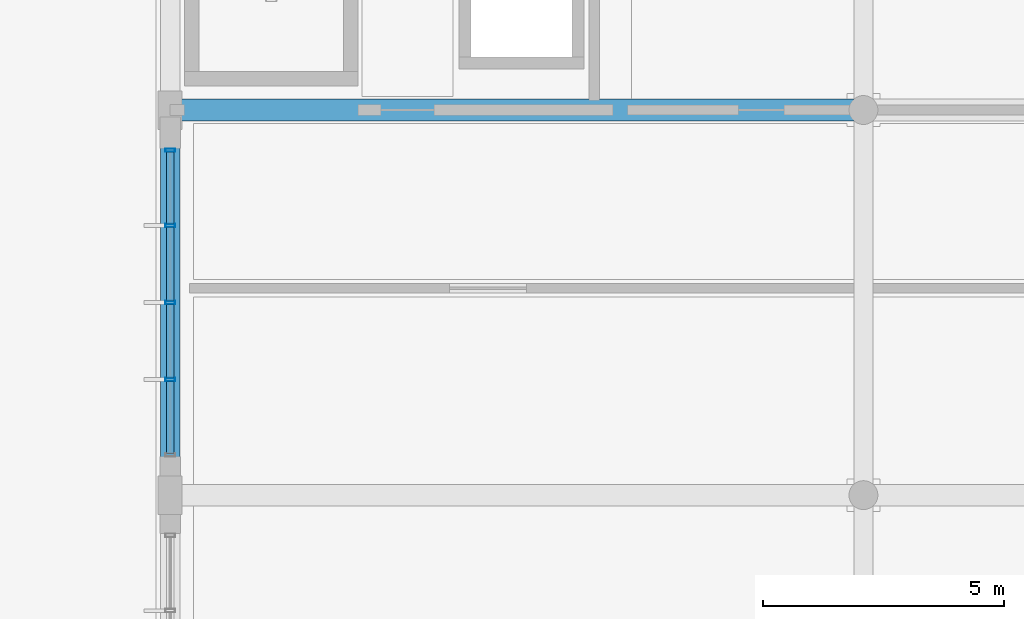
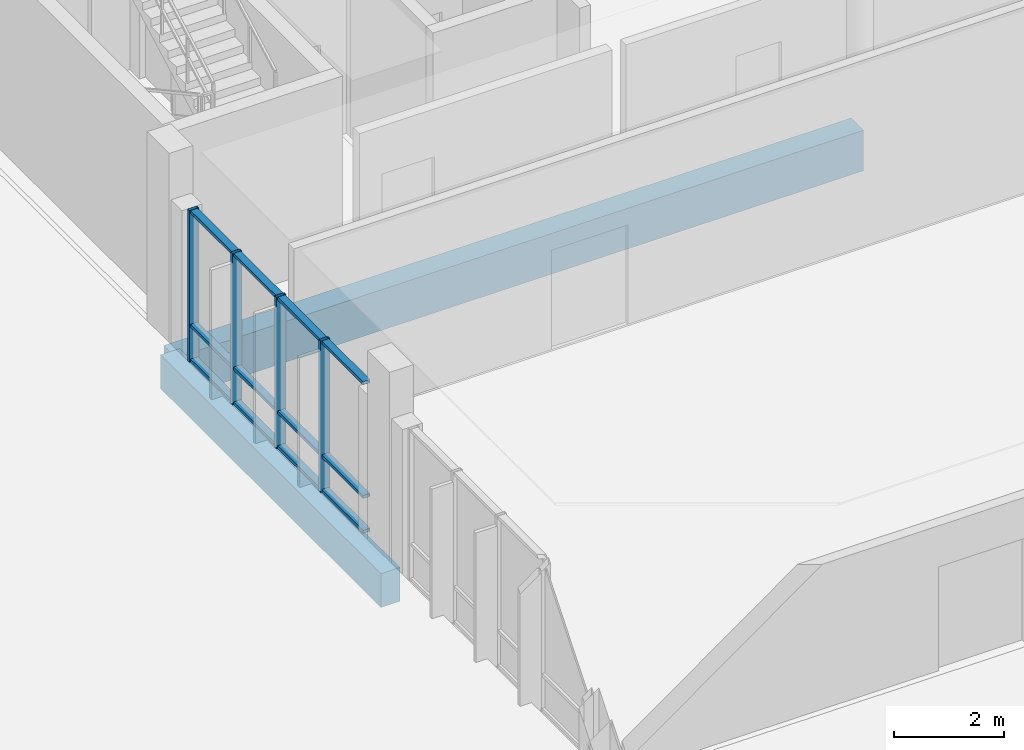
# One storey, part 93 of 233: 16 members, 2 beams, 1 element without a shape of its own.
"""IFC4 building model written with IfcOpenShell, lengths in metres."""

from ifc_helpers import new_model, si_unit, direction, frame, origin, origin_2d, place, context, subcontext, project, spatial, rectangle, hollow_rectangle, extrude, material, material_profile, profile_set, type_object, element, aggregate, save


model = new_model("IFC4")

# Units and contexts
model_context = context("Model", 3, precision=1e-05, world=origin(), true_north=direction((0.0, 1.0)))
body_context = subcontext(model_context, "Body", "Model", "MODEL_VIEW")
ifc_project = project(units=[si_unit("LENGTHUNIT", "METRE"), si_unit("AREAUNIT", "SQUARE_METRE"), si_unit("VOLUMEUNIT", "CUBIC_METRE"), si_unit("PLANEANGLEUNIT", "RADIAN"), si_unit("MASSUNIT", "GRAM", prefix="KILO")], contexts=[model_context])

# Site, building, storey
site_placement = place(None, origin())
site = spatial("IfcSite", under=ifc_project, at=site_placement, CompositionType="ELEMENT")
building_placement = place(site_placement, origin())
building = spatial("IfcBuilding", under=site, at=building_placement, Name="Zavelmont Quarter", CompositionType="ELEMENT")
storey_placement = place(building_placement, origin())
storey = spatial("IfcBuildingStorey", under=building, at=storey_placement, Name="L00", CompositionType="ELEMENT", Elevation=0.0)

# Beams
ifc_material_1 = material(Name="Concrete C40/50", Category="concrete")
ifc_material_profile_1 = material_profile(ifc_material_1, rectangle(XDim=0.39990234375, YDim=0.75, at=origin_2d()), Name="RC400X750")
ifc_profile_set_1 = profile_set([ifc_material_profile_1], Name="Concrete C40/50")
beam_type_1 = type_object("IfcBeamType", Name="BM05", PredefinedType="BEAM", material=ifc_profile_set_1)
beam_1_placement = place(storey_placement, frame((55.199951171875, 70.0, -0.695068359375), z_axis=(0.0, 1.0, 0.0), x_axis=(-1.0, 0.0, 0.0)))
element("IfcBeam", 1, at=beam_1_placement, inside=storey, type_object=beam_type_1, Name="L00 beam BM05 9/L to 9/M", PredefinedType="BEAM", context=body_context, shape_type="SweptSolid", body=[
    extrude(rectangle(XDim=0.39990234375, YDim=0.75, at=origin_2d()), origin(), (0.0, 0.0, 1.0), 8.0),
])
ifc_material_profile_2 = material_profile(ifc_material_1, rectangle(XDim=0.449951171875, YDim=0.89990234375, at=origin_2d()), Name="RC450X900")
ifc_profile_set_2 = profile_set([ifc_material_profile_2], Name="Concrete C40/50")
beam_type_2 = type_object("IfcBeamType", Name="BM06", PredefinedType="BEAM", material=ifc_profile_set_2)
beam_2_placement = place(storey_placement, frame((55.199951171875, 78.0, -0.77001953125), z_axis=(1.0, 0.0, 0.0), x_axis=(0.0, 1.0, 0.0)))
element("IfcBeam", 2, at=beam_2_placement, inside=storey, type_object=beam_type_2, Name="L00 beam BM06 9/M to 11/M", PredefinedType="BEAM", context=body_context, shape_type="SweptSolid", body=[
    extrude(rectangle(XDim=0.449951171875, YDim=0.89990234375, at=origin_2d()), origin(), (0.0, 0.0, 1.0), 14.400146484375),
])

# Curtain wall, members
ifc_material_2 = material(Name="Thermally broken aluminium and double low-E safety glazing", Category="aluminium")
curtain_wall_type = type_object("IfcCurtainWallType", Name="CW-640X336", PredefinedType="NOTDEFINED", material=ifc_material_2)
curtain_wall_placement = place(storey_placement, origin())
curtain_wall = element("IfcCurtainWall", 3, at=curtain_wall_placement, inside=storey, type_object=curtain_wall_type, Name="L00 unitised curtain wall CW-640X336", PredefinedType="NOTDEFINED")
ifc_material_3 = material(Name="Powder-coated aluminium EN AW-6063-T6", Category="aluminium")
ifc_material_profile_3 = material_profile(ifc_material_3, hollow_rectangle(XDim=0.070068359375, YDim=0.199951171875, WallThickness=0.0048828125, at=origin_2d()), Name="CWM70X200")
ifc_profile_set_3 = profile_set([ifc_material_profile_3], Name="Powder-coated aluminium EN AW-6063-T6")
member_type_1 = type_object("IfcMemberType", Name="CWM02", PredefinedType="MULLION", material=ifc_profile_set_3)
member_1_placement = place(storey_placement, frame((55.199951171875, 72.39990234375, 0.0), z_axis=(0.0, 0.0, 1.0), x_axis=(0.0, 1.0, 0.0)))
member_1 = element("IfcMember", 4, at=member_1_placement, type_object=member_type_1, Name="CW-640X336 mullion 2", PredefinedType="MULLION", context=body_context, shape_type="SweptSolid", body=[
    extrude(hollow_rectangle(XDim=0.070068359375, YDim=0.199951171875, WallThickness=0.0048828125, at=origin_2d()), origin(), (0.0, 0.0, 1.0), 3.360107421875),
])
member_2_placement = place(storey_placement, frame((55.199951171875, 74.0, 0.0), z_axis=(0.0, 0.0, 1.0), x_axis=(0.0, 1.0, 0.0)))
member_2 = element("IfcMember", 5, at=member_2_placement, type_object=member_type_1, Name="CW-640X336 mullion 3", PredefinedType="MULLION", context=body_context, shape_type="SweptSolid", body=[
    extrude(hollow_rectangle(XDim=0.070068359375, YDim=0.199951171875, WallThickness=0.0048828125, at=origin_2d()), origin(), (0.0, 0.0, 1.0), 3.360107421875),
])
member_3_placement = place(storey_placement, frame((55.199951171875, 75.60009765625, 0.0), z_axis=(0.0, 0.0, 1.0), x_axis=(0.0, 1.0, 0.0)))
member_3 = element("IfcMember", 6, at=member_3_placement, type_object=member_type_1, Name="CW-640X336 mullion 4", PredefinedType="MULLION", context=body_context, shape_type="SweptSolid", body=[
    extrude(hollow_rectangle(XDim=0.070068359375, YDim=0.199951171875, WallThickness=0.0048828125, at=origin_2d()), origin(), (0.0, 0.0, 1.0), 3.360107421875),
])
member_4_placement = place(storey_placement, frame((55.199951171875, 77.1650390625, 0.0), z_axis=(0.0, 0.0, 1.0), x_axis=(0.0, 1.0, 0.0)))
member_4 = element("IfcMember", 7, at=member_4_placement, type_object=member_type_1, Name="CW-640X336 mullion 5", PredefinedType="MULLION", context=body_context, shape_type="SweptSolid", body=[
    extrude(hollow_rectangle(XDim=0.070068359375, YDim=0.199951171875, WallThickness=0.0048828125, at=origin_2d()), origin(), (0.0, 0.0, 1.0), 3.360107421875),
])
ifc_material_profile_4 = material_profile(ifc_material_3, hollow_rectangle(XDim=0.14990234375, YDim=0.070068359375, WallThickness=0.00439453125, at=origin_2d()), Name="CWT70X150")
ifc_profile_set_4 = profile_set([ifc_material_profile_4], Name="Powder-coated aluminium EN AW-6063-T6")
member_type_2 = type_object("IfcMemberType", Name="CWT02", PredefinedType="NOTDEFINED", material=ifc_profile_set_4)
member_5_placement = place(storey_placement, frame((55.199951171875, 70.8701171875, 0.034912109375), z_axis=(0.0, 1.0, 0.0), x_axis=(-1.0, 0.0, 0.0)))
member_5 = element("IfcMember", 8, at=member_5_placement, type_object=member_type_2, Name="CW-640X336 transom 1.1", ObjectType="TRANSOM", PredefinedType="USERDEFINED", context=body_context, shape_type="SweptSolid", body=[
    extrude(hollow_rectangle(XDim=0.14990234375, YDim=0.070068359375, WallThickness=0.00439453125, at=origin_2d()), origin(), (0.0, 0.0, 1.0), 1.494873046875),
])
member_6_placement = place(storey_placement, frame((55.199951171875, 70.8701171875, 0.805908203125), z_axis=(0.0, 1.0, 0.0), x_axis=(-1.0, 0.0, 0.0)))
member_6 = element("IfcMember", 9, at=member_6_placement, type_object=member_type_2, Name="CW-640X336 transom 1.2", ObjectType="TRANSOM", PredefinedType="USERDEFINED", context=body_context, shape_type="SweptSolid", body=[
    extrude(hollow_rectangle(XDim=0.14990234375, YDim=0.070068359375, WallThickness=0.00439453125, at=origin_2d()), origin(), (0.0, 0.0, 1.0), 1.494873046875),
])
member_7_placement = place(storey_placement, frame((55.199951171875, 70.8701171875, 3.324951171875), z_axis=(0.0, 1.0, 0.0), x_axis=(-1.0, 0.0, 0.0)))
member_7 = element("IfcMember", 10, at=member_7_placement, type_object=member_type_2, Name="CW-640X336 transom 1.3", ObjectType="TRANSOM", PredefinedType="USERDEFINED", context=body_context, shape_type="SweptSolid", body=[
    extrude(hollow_rectangle(XDim=0.14990234375, YDim=0.070068359375, WallThickness=0.00439453125, at=origin_2d()), origin(), (0.0, 0.0, 1.0), 1.494873046875),
])
member_8_placement = place(storey_placement, frame((55.199951171875, 72.43505859375, 0.034912109375), z_axis=(0.0, 1.0, 0.0), x_axis=(-1.0, 0.0, 0.0)))
member_8 = element("IfcMember", 11, at=member_8_placement, type_object=member_type_2, Name="CW-640X336 transom 2.1", ObjectType="TRANSOM", PredefinedType="USERDEFINED", context=body_context, shape_type="SweptSolid", body=[
    extrude(hollow_rectangle(XDim=0.14990234375, YDim=0.070068359375, WallThickness=0.00439453125, at=origin_2d()), origin(), (0.0, 0.0, 1.0), 1.530029296875),
])
member_9_placement = place(storey_placement, frame((55.199951171875, 72.43505859375, 0.805908203125), z_axis=(0.0, 1.0, 0.0), x_axis=(-1.0, 0.0, 0.0)))
member_9 = element("IfcMember", 12, at=member_9_placement, type_object=member_type_2, Name="CW-640X336 transom 2.2", ObjectType="TRANSOM", PredefinedType="USERDEFINED", context=body_context, shape_type="SweptSolid", body=[
    extrude(hollow_rectangle(XDim=0.14990234375, YDim=0.070068359375, WallThickness=0.00439453125, at=origin_2d()), origin(), (0.0, 0.0, 1.0), 1.530029296875),
])
member_10_placement = place(storey_placement, frame((55.199951171875, 72.43505859375, 3.324951171875), z_axis=(0.0, 1.0, 0.0), x_axis=(-1.0, 0.0, 0.0)))
member_10 = element("IfcMember", 13, at=member_10_placement, type_object=member_type_2, Name="CW-640X336 transom 2.3", ObjectType="TRANSOM", PredefinedType="USERDEFINED", context=body_context, shape_type="SweptSolid", body=[
    extrude(hollow_rectangle(XDim=0.14990234375, YDim=0.070068359375, WallThickness=0.00439453125, at=origin_2d()), origin(), (0.0, 0.0, 1.0), 1.530029296875),
])
member_11_placement = place(storey_placement, frame((55.199951171875, 74.034912109375, 0.034912109375), z_axis=(0.0, 1.0, 0.0), x_axis=(-1.0, 0.0, 0.0)))
member_11 = element("IfcMember", 14, at=member_11_placement, type_object=member_type_2, Name="CW-640X336 transom 3.1", ObjectType="TRANSOM", PredefinedType="USERDEFINED", context=body_context, shape_type="SweptSolid", body=[
    extrude(hollow_rectangle(XDim=0.14990234375, YDim=0.070068359375, WallThickness=0.00439453125, at=origin_2d()), origin(), (0.0, 0.0, 1.0), 1.530029296875),
])
member_12_placement = place(storey_placement, frame((55.199951171875, 74.034912109375, 0.805908203125), z_axis=(0.0, 1.0, 0.0), x_axis=(-1.0, 0.0, 0.0)))
member_12 = element("IfcMember", 15, at=member_12_placement, type_object=member_type_2, Name="CW-640X336 transom 3.2", ObjectType="TRANSOM", PredefinedType="USERDEFINED", context=body_context, shape_type="SweptSolid", body=[
    extrude(hollow_rectangle(XDim=0.14990234375, YDim=0.070068359375, WallThickness=0.00439453125, at=origin_2d()), origin(), (0.0, 0.0, 1.0), 1.530029296875),
])
member_13_placement = place(storey_placement, frame((55.199951171875, 74.034912109375, 3.324951171875), z_axis=(0.0, 1.0, 0.0), x_axis=(-1.0, 0.0, 0.0)))
member_13 = element("IfcMember", 16, at=member_13_placement, type_object=member_type_2, Name="CW-640X336 transom 3.3", ObjectType="TRANSOM", PredefinedType="USERDEFINED", context=body_context, shape_type="SweptSolid", body=[
    extrude(hollow_rectangle(XDim=0.14990234375, YDim=0.070068359375, WallThickness=0.00439453125, at=origin_2d()), origin(), (0.0, 0.0, 1.0), 1.530029296875),
])
member_14_placement = place(storey_placement, frame((55.199951171875, 75.635009765625, 0.034912109375), z_axis=(0.0, 1.0, 0.0), x_axis=(-1.0, 0.0, 0.0)))
member_14 = element("IfcMember", 17, at=member_14_placement, type_object=member_type_2, Name="CW-640X336 transom 4.1", ObjectType="TRANSOM", PredefinedType="USERDEFINED", context=body_context, shape_type="SweptSolid", body=[
    extrude(hollow_rectangle(XDim=0.14990234375, YDim=0.070068359375, WallThickness=0.00439453125, at=origin_2d()), origin(), (0.0, 0.0, 1.0), 1.494873046875),
])
member_15_placement = place(storey_placement, frame((55.199951171875, 75.635009765625, 0.805908203125), z_axis=(0.0, 1.0, 0.0), x_axis=(-1.0, 0.0, 0.0)))
member_15 = element("IfcMember", 18, at=member_15_placement, type_object=member_type_2, Name="CW-640X336 transom 4.2", ObjectType="TRANSOM", PredefinedType="USERDEFINED", context=body_context, shape_type="SweptSolid", body=[
    extrude(hollow_rectangle(XDim=0.14990234375, YDim=0.070068359375, WallThickness=0.00439453125, at=origin_2d()), origin(), (0.0, 0.0, 1.0), 1.494873046875),
])
member_16_placement = place(storey_placement, frame((55.199951171875, 75.635009765625, 3.324951171875), z_axis=(0.0, 1.0, 0.0), x_axis=(-1.0, 0.0, 0.0)))
member_16 = element("IfcMember", 19, at=member_16_placement, type_object=member_type_2, Name="CW-640X336 transom 4.3", ObjectType="TRANSOM", PredefinedType="USERDEFINED", context=body_context, shape_type="SweptSolid", body=[
    extrude(hollow_rectangle(XDim=0.14990234375, YDim=0.070068359375, WallThickness=0.00439453125, at=origin_2d()), origin(), (0.0, 0.0, 1.0), 1.494873046875),
])
aggregate(curtain_wall, [member_1, member_2, member_3, member_4, member_5, member_6, member_7, member_8, member_9, member_10, member_11, member_12, member_13, member_14, member_15, member_16])

save(model, "model.ifc")
